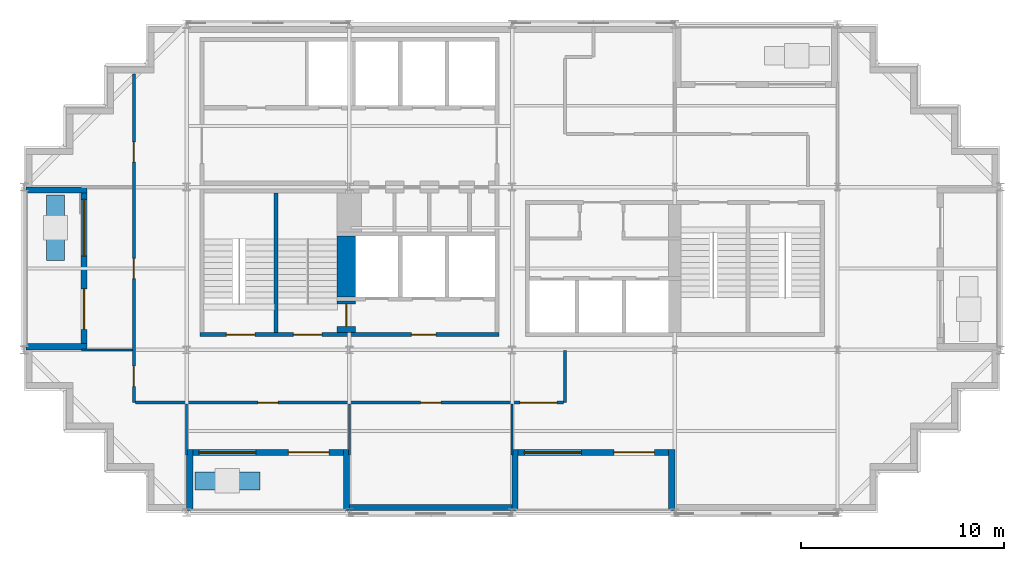
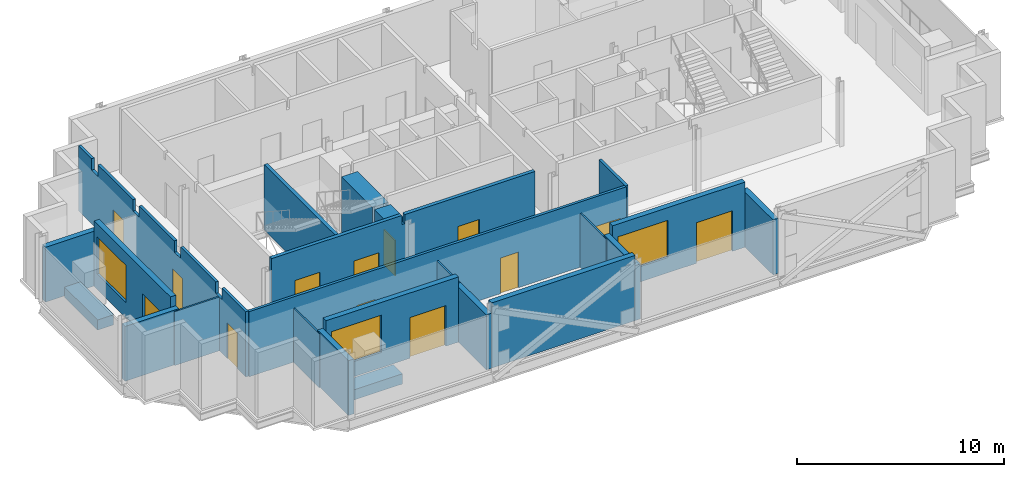
# One storey, part 4 of 9: 23 walls, 13 doors, 3 windows, 16 openings.
"""IFC4 building model written with IfcOpenShell, lengths in metres."""

from ifc_helpers import new_model, si_unit, direction, frame, frame_2d, origin, place, context, subcontext, project, spatial, polyline, rectangle, outline, extrude, material, layer, layer_set, type_object, element, fill, save


model = new_model("IFC4")

# Units and contexts
model_context = context("Model", 3, precision=1e-05, world=origin(), true_north=direction((0.0, 1.0)))
body_context = subcontext(model_context, "Body", "Model", "MODEL_VIEW")
ifc_project = project(units=[si_unit("LENGTHUNIT", "METRE"), si_unit("AREAUNIT", "SQUARE_METRE"), si_unit("VOLUMEUNIT", "CUBIC_METRE"), si_unit("PLANEANGLEUNIT", "RADIAN"), si_unit("MASSUNIT", "GRAM", prefix="KILO")], contexts=[model_context])

# Site, building, storey
site_placement = place(None, origin())
site = spatial("IfcSite", under=ifc_project, at=site_placement, CompositionType="ELEMENT")
building_placement = place(site_placement, origin())
building = spatial("IfcBuilding", under=site, at=building_placement, Name="Immortelle Media Tower", CompositionType="ELEMENT")
storey_placement = place(building_placement, frame((0.0, 0.0, 271.0)))
storey = spatial("IfcBuildingStorey", under=building, at=storey_placement, Name="L59", CompositionType="ELEMENT", Elevation=271.0)

# Wall, openings, doors
ifc_material_1 = material(Name="Fire-rated gypsum board", Category="gypsum")
ifc_layer_1 = layer(ifc_material_1, 0.012451171875)
ifc_material_2 = material(Name="Steel ASTM A653 SS Gr 50 stud frame with mineral wool", Category="steel")
ifc_layer_2 = layer(ifc_material_2, 0.125)
ifc_layer_3 = layer(ifc_material_1, 0.012451171875)
ifc_layer_set_1 = layer_set([ifc_layer_1, ifc_layer_2, ifc_layer_3], Name="Steel ASTM A653 SS Gr 50 stud frame with mineral wool")
wall_type_1 = type_object("IfcWallType", Name="Corridor wall 150", PredefinedType="PARTITIONING", material=ifc_layer_set_1)
wall_1_placement = place(storey_placement, frame((5.47509765625, 5.39990234375, 0.0), z_axis=(0.0, 0.0, 1.0), x_axis=(1.0, 0.0, 0.0)))
wall_1 = element("IfcWall", 1, at=wall_1_placement, inside=storey, type_object=wall_type_1, Name="Partition L59-004", PredefinedType="PARTITIONING", context=body_context, shape_type="SweptSolid", body=[
    extrude(rectangle(XDim=21.0498046875, YDim=0.14990234375, at=frame_2d((10.52490234375, 0.0))), origin(), (0.0, 0.0, 1.0), 3.85009765625),
])
opening_1_placement = place(wall_1_placement, frame((15.02490234375, 0.0, 0.0), z_axis=(0.0, 0.0, 1.0), x_axis=(-1.0, 0.0, 0.0)))
opening_1 = element("IfcOpeningElement", 2, at=opening_1_placement, cuts=wall_1, Name="Opening X3-F001", PredefinedType="OPENING", context=body_context, shape_type="SweptSolid", body=[
    extrude(rectangle(XDim=1.0, YDim=2.10009765625, at=frame_2d((0.5, 1.050048828125))), frame((0.0, 0.0849609375, 0.0), z_axis=(0.0, -1.0, 0.0), x_axis=(1.0, 0.0, 0.0)), (0.0, 0.0, 1.0), 0.169921875),
])
opening_2_placement = place(wall_1_placement, frame((7.02490234375, 0.0, 0.0), z_axis=(0.0, 0.0, 1.0), x_axis=(-1.0, 0.0, 0.0)))
opening_2 = element("IfcOpeningElement", 3, at=opening_2_placement, cuts=wall_1, Name="Opening X3-F002", PredefinedType="OPENING", context=body_context, shape_type="SweptSolid", body=[
    extrude(rectangle(XDim=1.0, YDim=2.10009765625, at=frame_2d((0.5, 1.050048828125))), frame((0.0, 0.0849609375, 0.0), z_axis=(0.0, -1.0, 0.0), x_axis=(1.0, 0.0, 0.0)), (0.0, 0.0, 1.0), 0.169921875),
])
opening_3_placement = place(wall_1_placement, frame((18.925048828125, 0.0, 0.0)))
opening_3 = element("IfcOpeningElement", 4, at=opening_3_placement, cuts=wall_1, Name="Opening X3-F004", PredefinedType="OPENING", context=body_context, shape_type="SweptSolid", body=[
    extrude(rectangle(XDim=1.800048828125, YDim=2.10009765625, at=frame_2d((0.89990234375, 1.050048828125))), frame((0.0, 0.0849609375, 0.0), z_axis=(0.0, -1.0, 0.0), x_axis=(1.0, 0.0, 0.0)), (0.0, 0.0, 1.0), 0.169921875),
])
ifc_material_3 = material(Name="Timber veneered door leaf, galvanised steel frame ASTM A653", Category="steel")
door_type_1 = type_object("IfcDoorType", Name="Room door 1000 x 2100", OperationType="NOTDEFINED", PredefinedType="DOOR", material=ifc_material_3)
door_1_placement = place(opening_1_placement, origin())
door_1 = element("IfcDoor", 5, at=door_1_placement, inside=storey, type_object=door_type_1, Name="Door X3-F001", OperationType="SINGLE_SWING_LEFT", OverallHeight=2.10009765625, OverallWidth=1.0, PredefinedType="DOOR", context=body_context, shape_type="SweptSolid", body=[
    extrude(rectangle(XDim=1.0, YDim=2.10009765625, at=frame_2d((0.5, 1.050048828125))), frame((0.0, 0.02490234375, 0.0), z_axis=(0.0, -1.0, 0.0), x_axis=(1.0, 0.0, 0.0)), (0.0, 0.0, 1.0), 0.050048828125),
])
fill(opening_1, door_1)
door_2_placement = place(opening_2_placement, origin())
door_2 = element("IfcDoor", 6, at=door_2_placement, inside=storey, type_object=door_type_1, Name="Door X3-F002", OperationType="SINGLE_SWING_LEFT", OverallHeight=2.10009765625, OverallWidth=1.0, PredefinedType="DOOR", context=body_context, shape_type="SweptSolid", body=[
    extrude(rectangle(XDim=1.0, YDim=2.10009765625, at=frame_2d((0.5, 1.050048828125))), frame((0.0, 0.02490234375, 0.0), z_axis=(0.0, -1.0, 0.0), x_axis=(1.0, 0.0, 0.0)), (0.0, 0.0, 1.0), 0.050048828125),
])
fill(opening_2, door_2)
door_type_2 = type_object("IfcDoorType", Name="Room door 1800 x 2100", OperationType="DOUBLE_DOOR_SINGLE_SWING", PredefinedType="DOOR", material=ifc_material_3)
door_3_placement = place(opening_3_placement, origin())
door_3 = element("IfcDoor", 7, at=door_3_placement, inside=storey, type_object=door_type_2, Name="Door X3-F004", OperationType="DOUBLE_DOOR_SINGLE_SWING", OverallHeight=2.10009765625, OverallWidth=1.800048828125, PredefinedType="DOOR", context=body_context, shape_type="SweptSolid", body=[
    extrude(rectangle(XDim=1.800048828125, YDim=2.10009765625, at=frame_2d((0.89990234375, 1.050048828125))), frame((0.0, 0.02490234375, 0.0), z_axis=(0.0, -1.0, 0.0), x_axis=(1.0, 0.0, 0.0)), (0.0, 0.0, 1.0), 0.050048828125),
])
fill(opening_3, door_3)

wall_2_placement = place(storey_placement, frame((5.39990234375, 5.39990234375, 0.0), z_axis=(0.0, 0.0, 1.0), x_axis=(0.0, 1.0, 0.0)))
wall_2 = element("IfcWall", 8, at=wall_2_placement, inside=storey, type_object=wall_type_1, Name="Partition L59-005", PredefinedType="PARTITIONING", context=body_context, shape_type="SweptSolid", body=[
    extrude(outline(polyline([(0.0, 0.0), (16.170166015625, 0.0), (16.169921875, 3.85009765625), (14.89990234375, 3.85009765625), (14.89794921875, 3.172119140625), (14.302001953125, 3.172119140625), (14.300048828125, 3.85009765625), (10.89990234375, 3.85009765625), (10.89794921875, 3.172119140625), (10.302001953125, 3.172119140625), (10.300048828125, 3.85009765625), (6.89990234375, 3.85009765625), (6.89794921875, 3.172119140625), (6.302001953125, 3.172119140625), (6.300048828125, 3.85009765625), (2.89990234375, 3.85009765625), (2.89794921875, 3.172119140625), (2.302001953125, 3.172119140625), (2.300048828125, 3.85009765625), (0.0, 3.85009765625), (0.0, 0.0)])), frame((0.0, 0.074951171875, 0.0), z_axis=(0.0, -1.0, 0.0), x_axis=(1.0, 0.0, 0.0)), (0.0, 0.0, 1.0), 0.14990234375),
])
opening_4_placement = place(wall_2_placement, frame((0.800048828125, 0.0, 0.0)))
opening_4 = element("IfcOpeningElement", 9, at=opening_4_placement, cuts=wall_2, Name="Opening X3-F003", PredefinedType="OPENING", context=body_context, shape_type="SweptSolid", body=[
    extrude(rectangle(XDim=1.0, YDim=2.10009765625, at=frame_2d((0.5, 1.050048828125))), frame((0.0, 0.0849609375, 0.0), z_axis=(0.0, -1.0, 0.0), x_axis=(1.0, 0.0, 0.0)), (0.0, 0.0, 1.0), 0.169921875),
])
opening_5_placement = place(wall_2_placement, frame((6.10009765625, 0.0, 0.0)))
opening_5 = element("IfcOpeningElement", 10, at=opening_5_placement, cuts=wall_2, Name="Opening X3-F005", PredefinedType="OPENING", context=body_context, shape_type="SweptSolid", body=[
    extrude(rectangle(XDim=1.0, YDim=2.10009765625, at=frame_2d((0.5, 1.050048828125))), frame((0.0, 0.0849609375, 0.0), z_axis=(0.0, -1.0, 0.0), x_axis=(1.0, 0.0, 0.0)), (0.0, 0.0, 1.0), 0.169921875),
])
opening_6_placement = place(wall_2_placement, frame((11.824951171875, 0.0, 0.0)))
opening_6 = element("IfcOpeningElement", 11, at=opening_6_placement, cuts=wall_2, Name="Opening X3-F006", PredefinedType="OPENING", context=body_context, shape_type="SweptSolid", body=[
    extrude(rectangle(XDim=1.0, YDim=2.10009765625, at=frame_2d((0.5, 1.050048828125))), frame((0.0, 0.0849609375, 0.0), z_axis=(0.0, -1.0, 0.0), x_axis=(1.0, 0.0, 0.0)), (0.0, 0.0, 1.0), 0.169921875),
])
door_4_placement = place(opening_4_placement, origin())
door_4 = element("IfcDoor", 12, at=door_4_placement, inside=storey, type_object=door_type_1, Name="Door X3-F003", OperationType="SINGLE_SWING_RIGHT", OverallHeight=2.10009765625, OverallWidth=1.0, PredefinedType="DOOR", context=body_context, shape_type="SweptSolid", body=[
    extrude(rectangle(XDim=1.0, YDim=2.10009765625, at=frame_2d((0.5, 1.050048828125))), frame((0.0, 0.02490234375, 0.0), z_axis=(0.0, -1.0, 0.0), x_axis=(1.0, 0.0, 0.0)), (0.0, 0.0, 1.0), 0.050048828125),
])
fill(opening_4, door_4)
door_5_placement = place(opening_5_placement, origin())
door_5 = element("IfcDoor", 13, at=door_5_placement, inside=storey, type_object=door_type_1, Name="Door X3-F005", OperationType="SINGLE_SWING_LEFT", OverallHeight=2.10009765625, OverallWidth=1.0, PredefinedType="DOOR", context=body_context, shape_type="SweptSolid", body=[
    extrude(rectangle(XDim=1.0, YDim=2.10009765625, at=frame_2d((0.5, 1.050048828125))), frame((0.0, 0.02490234375, 0.0), z_axis=(0.0, -1.0, 0.0), x_axis=(1.0, 0.0, 0.0)), (0.0, 0.0, 1.0), 0.050048828125),
])
fill(opening_5, door_5)
door_6_placement = place(opening_6_placement, origin())
door_6 = element("IfcDoor", 14, at=door_6_placement, inside=storey, type_object=door_type_1, Name="Door X3-F006", OperationType="SINGLE_SWING_LEFT", OverallHeight=2.10009765625, OverallWidth=1.0, PredefinedType="DOOR", context=body_context, shape_type="SweptSolid", body=[
    extrude(rectangle(XDim=1.0, YDim=2.10009765625, at=frame_2d((0.5, 1.050048828125))), frame((0.0, 0.02490234375, 0.0), z_axis=(0.0, -1.0, 0.0), x_axis=(1.0, 0.0, 0.0)), (0.0, 0.0, 1.0), 0.050048828125),
])
fill(opening_6, door_6)

# Wall
wall_3_placement = place(storey_placement, frame((26.60009765625, 5.39990234375, 0.0), z_axis=(0.0, 0.0, 1.0), x_axis=(0.0, 1.0, 0.0)))
element("IfcWall", 15, at=wall_3_placement, inside=storey, type_object=wall_type_1, Name="Partition L59-006", PredefinedType="PARTITIONING", context=body_context, shape_type="SweptSolid", body=[
    extrude(rectangle(XDim=2.570068359375, YDim=0.14990234375, at=frame_2d((1.28515625, 0.0))), origin(), (0.0, 0.0, 1.0), 3.85009765625),
])

# Wall, openings, door, window
ifc_material_4 = material(Name="Pale aluminium cladding panel", Category="aluminium")
ifc_layer_4 = layer(ifc_material_4, 0.030029296875)
ifc_layer_5 = layer(ifc_material_2, 0.257568359375)
ifc_material_5 = material(Name="Moisture-resistant gypsum board", Category="gypsum")
ifc_layer_6 = layer(ifc_material_5, 0.012451171875)
ifc_layer_set_2 = layer_set([ifc_layer_4, ifc_layer_5, ifc_layer_6], Name="Steel ASTM A653 SS Gr 50 stud frame with mineral wool")
wall_type_2 = type_object("IfcWallType", Name="Facade wall 300", PredefinedType="SOLIDWALL", material=ifc_layer_set_2)
wall_4_placement = place(storey_placement, frame((8.300048828125, 2.949951171875, 0.0), z_axis=(0.0, 0.0, 1.0), x_axis=(1.0, 0.0, 0.0)))
wall_4 = element("IfcWall", 16, at=wall_4_placement, inside=storey, type_object=wall_type_2, Name="Loggia wall L59 S6", PredefinedType="SOLIDWALL", context=body_context, shape_type="SweptSolid", body=[
    extrude(rectangle(XDim=7.39990234375, YDim=0.300048828125, at=frame_2d((3.699951171875, 0.0))), origin(), (0.0, 0.0, 1.0), 3.85009765625),
])
opening_7_placement = place(wall_4_placement, frame((0.300048828125, 0.0, 0.89990234375)))
opening_7 = element("IfcOpeningElement", 17, at=opening_7_placement, cuts=wall_4, Name="Opening W1", PredefinedType="OPENING", context=body_context, shape_type="SweptSolid", body=[
    extrude(rectangle(XDim=2.800048828125, YDim=2.199951171875, at=frame_2d((1.39990234375, 1.10009765625))), frame((0.0, 0.159912109375, 0.0), z_axis=(0.0, -1.0, 0.0), x_axis=(1.0, 0.0, 0.0)), (0.0, 0.0, 1.0), 0.320068359375),
])
opening_8_placement = place(wall_4_placement, frame((4.699951171875, 0.0, 0.0)))
opening_8 = element("IfcOpeningElement", 18, at=opening_8_placement, cuts=wall_4, Name="Opening X3-E001", PredefinedType="OPENING", context=body_context, shape_type="SweptSolid", body=[
    extrude(rectangle(XDim=2.0, YDim=2.39990234375, at=frame_2d((1.0, 1.199951171875))), frame((0.0, 0.159912109375, 0.0), z_axis=(0.0, -1.0, 0.0), x_axis=(1.0, 0.0, 0.0)), (0.0, 0.0, 1.0), 0.320068359375),
])
ifc_material_6 = material(Name="Aluminium frame, glazed leaves", Category="aluminium")
door_type_3 = type_object("IfcDoorType", Name="Loggia door 2000 x 2400", OperationType="DOUBLE_DOOR_SINGLE_SWING", PredefinedType="DOOR", material=ifc_material_6)
door_7_placement = place(opening_8_placement, origin())
door_7 = element("IfcDoor", 19, at=door_7_placement, inside=storey, type_object=door_type_3, Name="Door X3-E001", OperationType="DOUBLE_DOOR_SINGLE_SWING", OverallHeight=2.39990234375, OverallWidth=2.0, PredefinedType="DOOR", context=body_context, shape_type="SweptSolid", body=[
    extrude(rectangle(XDim=2.0, YDim=2.39990234375, at=frame_2d((1.0, 1.199951171875))), frame((0.0, 0.02490234375, 0.0), z_axis=(0.0, -1.0, 0.0), x_axis=(1.0, 0.0, 0.0)), (0.0, 0.0, 1.0), 0.050048828125),
])
fill(opening_8, door_7)
ifc_material_7 = material(Name="Aluminium frame", Category="aluminium")
window_type = type_object("IfcWindowType", Name="Window 2800 x 2200", PartitioningType="SINGLE_PANEL", PredefinedType="WINDOW", material=ifc_material_7)
window_1_placement = place(opening_7_placement, origin())
window_1 = element("IfcWindow", 20, at=window_1_placement, inside=storey, type_object=window_type, Name="Window L59 L59-R6-B0", OverallHeight=2.199951171875, OverallWidth=2.800048828125, PartitioningType="SINGLE_PANEL", PredefinedType="WINDOW", context=body_context, shape_type="SweptSolid", body=[
    extrude(rectangle(XDim=2.800048828125, YDim=2.199951171875, at=frame_2d((1.39990234375, 1.10009765625))), frame((0.0, 0.030029296875, 0.0), z_axis=(0.0, -1.0, 0.0), x_axis=(1.0, 0.0, 0.0)), (0.0, 0.0, 1.0), 0.06005859375),
])
fill(opening_7, window_1)

# Walls
wall_5_placement = place(storey_placement, frame((8.14990234375, 0.10009765625, 0.0), z_axis=(0.0, 0.0, 1.0), x_axis=(0.0, 1.0, 0.0)))
element("IfcWall", 21, at=wall_5_placement, inside=storey, type_object=wall_type_2, Name="Loggia cheek wall L59 S", PredefinedType="SOLIDWALL", context=body_context, shape_type="SweptSolid", body=[
    extrude(rectangle(XDim=3.0, YDim=0.300048828125, at=frame_2d((1.5, 0.0))), origin(), (0.0, 0.0, 1.0), 3.237060546875),
])
wall_6_placement = place(storey_placement, frame((15.85009765625, 0.10009765625, 0.0), z_axis=(0.0, 0.0, 1.0), x_axis=(0.0, 1.0, 0.0)))
element("IfcWall", 22, at=wall_6_placement, inside=storey, type_object=wall_type_2, Name="Loggia cheek wall L59 S", PredefinedType="SOLIDWALL", context=body_context, shape_type="SweptSolid", body=[
    extrude(rectangle(XDim=3.0, YDim=0.300048828125, at=frame_2d((1.5, 0.0))), origin(), (0.0, 0.0, 1.0), 3.2470703125),
])
wall_7_placement = place(storey_placement, frame((16.0, 0.25, 0.0), z_axis=(0.0, 0.0, 1.0), x_axis=(1.0, 0.0, 0.0)))
element("IfcWall", 23, at=wall_7_placement, inside=storey, type_object=wall_type_2, Name="Facade wall L59 S6", PredefinedType="SOLIDWALL", context=body_context, shape_type="SweptSolid", body=[
    extrude(rectangle(XDim=8.0, YDim=0.300048828125, at=frame_2d((4.0, 0.0))), origin(), (0.0, 0.0, 1.0), 3.85009765625),
])

# Wall, openings, door, window
wall_8_placement = place(storey_placement, frame((24.300048828125, 2.949951171875, 0.0), z_axis=(0.0, 0.0, 1.0), x_axis=(1.0, 0.0, 0.0)))
wall_8 = element("IfcWall", 24, at=wall_8_placement, inside=storey, type_object=wall_type_2, Name="Loggia wall L59 S6", PredefinedType="SOLIDWALL", context=body_context, shape_type="SweptSolid", body=[
    extrude(rectangle(XDim=7.39990234375, YDim=0.300048828125, at=frame_2d((3.699951171875, 0.0))), origin(), (0.0, 0.0, 1.0), 3.85009765625),
])
opening_9_placement = place(wall_8_placement, frame((0.300048828125, 0.0, 0.89990234375)))
opening_9 = element("IfcOpeningElement", 25, at=opening_9_placement, cuts=wall_8, Name="Opening W1", PredefinedType="OPENING", context=body_context, shape_type="SweptSolid", body=[
    extrude(rectangle(XDim=2.800048828125, YDim=2.199951171875, at=frame_2d((1.39990234375, 1.10009765625))), frame((0.0, 0.159912109375, 0.0), z_axis=(0.0, -1.0, 0.0), x_axis=(1.0, 0.0, 0.0)), (0.0, 0.0, 1.0), 0.320068359375),
])
opening_10_placement = place(wall_8_placement, frame((4.699951171875, 0.0, 0.0)))
opening_10 = element("IfcOpeningElement", 26, at=opening_10_placement, cuts=wall_8, Name="Opening X3-E002", PredefinedType="OPENING", context=body_context, shape_type="SweptSolid", body=[
    extrude(rectangle(XDim=2.0, YDim=2.39990234375, at=frame_2d((1.0, 1.199951171875))), frame((0.0, 0.159912109375, 0.0), z_axis=(0.0, -1.0, 0.0), x_axis=(1.0, 0.0, 0.0)), (0.0, 0.0, 1.0), 0.320068359375),
])
door_8_placement = place(opening_10_placement, origin())
door_8 = element("IfcDoor", 27, at=door_8_placement, inside=storey, type_object=door_type_3, Name="Door X3-E002", OperationType="DOUBLE_DOOR_SINGLE_SWING", OverallHeight=2.39990234375, OverallWidth=2.0, PredefinedType="DOOR", context=body_context, shape_type="SweptSolid", body=[
    extrude(rectangle(XDim=2.0, YDim=2.39990234375, at=frame_2d((1.0, 1.199951171875))), frame((0.0, 0.02490234375, 0.0), z_axis=(0.0, -1.0, 0.0), x_axis=(1.0, 0.0, 0.0)), (0.0, 0.0, 1.0), 0.050048828125),
])
fill(opening_10, door_8)
window_2_placement = place(opening_9_placement, origin())
window_2 = element("IfcWindow", 28, at=window_2_placement, inside=storey, type_object=window_type, Name="Window L59 L59-R6-B2", OverallHeight=2.199951171875, OverallWidth=2.800048828125, PartitioningType="SINGLE_PANEL", PredefinedType="WINDOW", context=body_context, shape_type="SweptSolid", body=[
    extrude(rectangle(XDim=2.800048828125, YDim=2.199951171875, at=frame_2d((1.39990234375, 1.10009765625))), frame((0.0, 0.030029296875, 0.0), z_axis=(0.0, -1.0, 0.0), x_axis=(1.0, 0.0, 0.0)), (0.0, 0.0, 1.0), 0.06005859375),
])
fill(opening_9, window_2)

# Walls
for number, where, z_axis, x_axis, name in (
    (29, (24.14990234375, 0.10009765625, 0.0), (0.0, 0.0, 1.0), (0.0, 1.0, 0.0), "Loggia cheek wall L59 S"),
    (30, (31.85009765625, 0.10009765625, 0.0), (0.0, 0.0, 1.0), (0.0, 1.0, 0.0), "Loggia cheek wall L59 S"),
):
    element("IfcWall", number, at=place(storey_placement, frame(where, z_axis=z_axis, x_axis=x_axis)), inside=storey, type_object=wall_type_2, Name=name, PredefinedType="SOLIDWALL", context=body_context, shape_type="SweptSolid", body=[
        extrude(rectangle(XDim=3.0, YDim=0.300048828125, at=frame_2d((1.5, 0.0))), origin(), (0.0, 0.0, 1.0), 3.2470703125),
    ])

# Wall, openings, door, window
wall_9_placement = place(storey_placement, frame((2.949951171875, 15.699951171875, 0.0), z_axis=(0.0, 0.0, 1.0), x_axis=(0.0, -1.0, 0.0)))
wall_9 = element("IfcWall", 31, at=wall_9_placement, inside=storey, type_object=wall_type_2, Name="Loggia wall L59 W27", PredefinedType="SOLIDWALL", context=body_context, shape_type="SweptSolid", body=[
    extrude(rectangle(XDim=7.39990234375, YDim=0.300048828125, at=frame_2d((3.699951171875, 0.0))), origin(), (0.0, 0.0, 1.0), 3.85009765625),
])
opening_11_placement = place(wall_9_placement, frame((0.300048828125, 0.0, 0.89990234375)))
opening_11 = element("IfcOpeningElement", 32, at=opening_11_placement, cuts=wall_9, Name="Opening W1", PredefinedType="OPENING", context=body_context, shape_type="SweptSolid", body=[
    extrude(rectangle(XDim=2.800048828125, YDim=2.199951171875, at=frame_2d((1.39990234375, 1.10009765625))), frame((0.0, 0.159912109375, 0.0), z_axis=(0.0, -1.0, 0.0), x_axis=(1.0, 0.0, 0.0)), (0.0, 0.0, 1.0), 0.320068359375),
])
opening_12_placement = place(wall_9_placement, frame((4.699951171875, 0.0, 0.0)))
opening_12 = element("IfcOpeningElement", 33, at=opening_12_placement, cuts=wall_9, Name="Opening X3-E006", PredefinedType="OPENING", context=body_context, shape_type="SweptSolid", body=[
    extrude(rectangle(XDim=2.0, YDim=2.39990234375, at=frame_2d((1.0, 1.199951171875))), frame((0.0, 0.159912109375, 0.0), z_axis=(0.0, -1.0, 0.0), x_axis=(1.0, 0.0, 0.0)), (0.0, 0.0, 1.0), 0.320068359375),
])
door_9_placement = place(opening_12_placement, origin())
door_9 = element("IfcDoor", 34, at=door_9_placement, inside=storey, type_object=door_type_3, Name="Door X3-E006", OperationType="DOUBLE_DOOR_SINGLE_SWING", OverallHeight=2.39990234375, OverallWidth=2.0, PredefinedType="DOOR", context=body_context, shape_type="SweptSolid", body=[
    extrude(rectangle(XDim=2.0, YDim=2.39990234375, at=frame_2d((1.0, 1.199951171875))), frame((0.0, 0.02490234375, 0.0), z_axis=(0.0, -1.0, 0.0), x_axis=(1.0, 0.0, 0.0)), (0.0, 0.0, 1.0), 0.050048828125),
])
fill(opening_12, door_9)
window_3_placement = place(opening_11_placement, origin())
window_3 = element("IfcWindow", 35, at=window_3_placement, inside=storey, type_object=window_type, Name="Window L59 L59-R27-B0", OverallHeight=2.199951171875, OverallWidth=2.800048828125, PartitioningType="SINGLE_PANEL", PredefinedType="WINDOW", context=body_context, shape_type="SweptSolid", body=[
    extrude(rectangle(XDim=2.800048828125, YDim=2.199951171875, at=frame_2d((1.39990234375, 1.10009765625))), frame((0.0, 0.030029296875, 0.0), z_axis=(0.0, -1.0, 0.0), x_axis=(1.0, 0.0, 0.0)), (0.0, 0.0, 1.0), 0.06005859375),
])
fill(opening_11, window_3)

# Walls
for number, where, z_axis, x_axis, name in (
    (36, (0.10009765625, 15.85009765625, 0.0), (0.0, 0.0, 1.0), (1.0, 0.0, 0.0), "Loggia cheek wall L59 W"),
    (37, (0.10009765625, 8.14990234375, 0.0), (0.0, 0.0, 1.0), (1.0, 0.0, 0.0), "Loggia cheek wall L59 W"),
):
    element("IfcWall", number, at=place(storey_placement, frame(where, z_axis=z_axis, x_axis=x_axis)), inside=storey, type_object=wall_type_2, Name=name, PredefinedType="SOLIDWALL", context=body_context, shape_type="SweptSolid", body=[
        extrude(rectangle(XDim=3.0, YDim=0.300048828125, at=frame_2d((1.5, 0.0))), origin(), (0.0, 0.0, 1.0), 3.237060546875),
    ])
ifc_material_8 = material(Name="Gypsum board", Category="gypsum")
ifc_layer_7 = layer(ifc_material_8, 0.012451171875)
ifc_layer_8 = layer(ifc_material_2, 0.074951171875)
ifc_layer_9 = layer(ifc_material_8, 0.012451171875)
ifc_layer_set_3 = layer_set([ifc_layer_7, ifc_layer_8, ifc_layer_9], Name="Steel ASTM A653 SS Gr 50 stud frame with mineral wool")
wall_type_3 = type_object("IfcWallType", Name="Partition 100", PredefinedType="PARTITIONING", material=ifc_layer_set_3)
for number, where, z_axis, x_axis, name in (
    (38, (8.0, 2.830078125, 0.0), (0.0, 0.0, 1.0), (0.0, 1.0, 0.0), "Partition L59-001"),
    (39, (16.0, 2.830078125, 0.0), (0.0, 0.0, 1.0), (0.0, 1.0, 0.0), "Partition L59-002"),
    (40, (24.0, 2.830078125, 0.0), (0.0, 0.0, 1.0), (0.0, 1.0, 0.0), "Partition L59-003"),
    (41, (2.830078125, 8.0, 0.0), (0.0, 0.0, 1.0), (1.0, 0.0, 0.0), "Partition L59-007"),
):
    element("IfcWall", number, at=place(storey_placement, frame(where, z_axis=z_axis, x_axis=x_axis)), inside=storey, type_object=wall_type_3, Name=name, PredefinedType="PARTITIONING", context=body_context, shape_type="SweptSolid", body=[
        extrude(rectangle(XDim=2.494873046875, YDim=0.10009765625, at=frame_2d((1.24755859375, 0.0))), origin(), (0.0, 0.0, 1.0), 3.172119140625),
    ])
ifc_layer_10 = layer(ifc_material_4, 0.0029296875)
ifc_material_9 = material(Name="Steel ASTM A572 Gr 50 planter shell", Category="steel")
ifc_layer_11 = layer(ifc_material_9, 0.011962890625)
ifc_material_10 = material(Name="Planting substrate", Category="soil")
ifc_layer_12 = layer(ifc_material_10, 0.873046875)
ifc_layer_13 = layer(ifc_material_9, 0.011962890625)
ifc_layer_set_4 = layer_set([ifc_layer_10, ifc_layer_11, ifc_layer_12, ifc_layer_13], Name="Steel ASTM A572 Gr 50 planter shell")
wall_type_4 = type_object("IfcWallType", Name="Planter wall 900", PredefinedType="SOLIDWALL", material=ifc_layer_set_4)
for number, where, z_axis, x_axis, name in (
    (42, (8.39990234375, 1.550048828125, 0.0), (0.0, 0.0, 1.0), (1.0, 0.0, 0.0), "Planter L59 S0"),
    (43, (1.550048828125, 15.60009765625, 0.0), (0.0, 0.0, 1.0), (0.0, -1.0, 0.0), "Planter L59 W0"),
):
    element("IfcWall", number, at=place(storey_placement, frame(where, z_axis=z_axis, x_axis=x_axis)), inside=storey, type_object=wall_type_4, Name=name, PredefinedType="SOLIDWALL", context=body_context, shape_type="SweptSolid", body=[
        extrude(rectangle(XDim=3.2001953125, YDim=0.89990234375, at=frame_2d((1.60009765625, 0.0))), origin(), (0.0, 0.0, 1.0), 0.60009765625),
    ])

# Wall, openings, doors
ifc_material_11 = material(Name="Concrete C60", Category="concrete")
ifc_layer_14 = layer(ifc_material_11, 0.199951171875)
ifc_layer_set_5 = layer_set([ifc_layer_14], Name="Concrete C60")
wall_type_5 = type_object("IfcWallType", Name="Stair shaft wall 200", PredefinedType="PARTITIONING", material=ifc_layer_set_5)
wall_10_placement = place(storey_placement, frame((8.64990234375, 8.75, 0.0), z_axis=(0.0, 0.0, 1.0), x_axis=(1.0, 0.0, 0.0)))
wall_10 = element("IfcWall", 44, at=wall_10_placement, inside=storey, type_object=wall_type_5, Name="Stair shaft wall SW", PredefinedType="PARTITIONING", context=body_context, shape_type="SweptSolid", body=[
    extrude(outline(polyline([(0.0, 0.0), (14.7001953125, 0.0), (14.699951171875, 3.85009765625), (7.4375, 3.85009765625), (7.4365234375, 3.318115234375), (7.263427734375, 3.318115234375), (7.262451171875, 3.85009765625), (0.0, 3.85009765625), (0.0, 0.0)])), frame((0.0, 0.10009765625, 0.0), z_axis=(0.0, -1.0, 0.0), x_axis=(1.0, 0.0, 0.0)), (0.0, 0.0, 1.0), 0.199951171875),
])
opening_13_placement = place(wall_10_placement, frame((1.300048828125, 0.0, 0.0)))
opening_13 = element("IfcOpeningElement", 45, at=opening_13_placement, cuts=wall_10, Name="Opening X3-K002", PredefinedType="OPENING", context=body_context, shape_type="SweptSolid", body=[
    extrude(rectangle(XDim=1.39990234375, YDim=2.10009765625, at=frame_2d((0.699951171875, 1.050048828125))), frame((0.0, 0.10986328125, 0.0), z_axis=(0.0, -1.0, 0.0), x_axis=(1.0, 0.0, 0.0)), (0.0, 0.0, 1.0), 0.219970703125),
])
opening_14_placement = place(wall_10_placement, frame((4.60009765625, 0.0, 0.0)))
opening_14 = element("IfcOpeningElement", 46, at=opening_14_placement, cuts=wall_10, Name="Opening X3-K005", PredefinedType="OPENING", context=body_context, shape_type="SweptSolid", body=[
    extrude(rectangle(XDim=1.39990234375, YDim=2.10009765625, at=frame_2d((0.699951171875, 1.050048828125))), frame((0.0, 0.10986328125, 0.0), z_axis=(0.0, -1.0, 0.0), x_axis=(1.0, 0.0, 0.0)), (0.0, 0.0, 1.0), 0.219970703125),
])
opening_15_placement = place(wall_10_placement, frame((10.39990234375, 0.0, 0.0)))
opening_15 = element("IfcOpeningElement", 47, at=opening_15_placement, cuts=wall_10, Name="Opening X3-K012", PredefinedType="OPENING", context=body_context, shape_type="SweptSolid", body=[
    extrude(rectangle(XDim=1.199951171875, YDim=2.10009765625, at=frame_2d((0.60009765625, 1.050048828125))), frame((0.0, 0.10986328125, 0.0), z_axis=(0.0, -1.0, 0.0), x_axis=(1.0, 0.0, 0.0)), (0.0, 0.0, 1.0), 0.219970703125),
])
ifc_material_12 = material(Name="Galvanised steel door leaf and frame ASTM A653", Category="steel")
door_type_4 = type_object("IfcDoorType", Name="Fire-fighting lobby door 1200 x 2100", OperationType="NOTDEFINED", PredefinedType="NOTDEFINED", material=ifc_material_12)
door_10_placement = place(opening_15_placement, origin())
door_10 = element("IfcDoor", 48, at=door_10_placement, inside=storey, type_object=door_type_4, Name="Fire-fighting lobby X3-K012", OperationType="SINGLE_SWING_LEFT", OverallHeight=2.10009765625, OverallWidth=1.199951171875, PredefinedType="NOTDEFINED", context=body_context, shape_type="SweptSolid", body=[
    extrude(rectangle(XDim=1.199951171875, YDim=2.10009765625, at=frame_2d((0.60009765625, 1.050048828125))), frame((0.0, 0.02490234375, 0.0), z_axis=(0.0, -1.0, 0.0), x_axis=(1.0, 0.0, 0.0)), (0.0, 0.0, 1.0), 0.050048828125),
])
fill(opening_15, door_10)
door_type_5 = type_object("IfcDoorType", Name="Stair door 1400 x 2100", OperationType="DOUBLE_DOOR_SINGLE_SWING", PredefinedType="NOTDEFINED", material=ifc_material_12)
door_11_placement = place(opening_13_placement, origin())
door_11 = element("IfcDoor", 49, at=door_11_placement, inside=storey, type_object=door_type_5, Name="Stair X3-K002", OperationType="DOUBLE_DOOR_SINGLE_SWING", OverallHeight=2.10009765625, OverallWidth=1.39990234375, PredefinedType="NOTDEFINED", context=body_context, shape_type="SweptSolid", body=[
    extrude(rectangle(XDim=1.39990234375, YDim=2.10009765625, at=frame_2d((0.699951171875, 1.050048828125))), frame((0.0, 0.02490234375, 0.0), z_axis=(0.0, -1.0, 0.0), x_axis=(1.0, 0.0, 0.0)), (0.0, 0.0, 1.0), 0.050048828125),
])
fill(opening_13, door_11)
door_12_placement = place(opening_14_placement, origin())
door_12 = element("IfcDoor", 50, at=door_12_placement, inside=storey, type_object=door_type_5, Name="Stair X3-K005", OperationType="DOUBLE_DOOR_SINGLE_SWING", OverallHeight=2.10009765625, OverallWidth=1.39990234375, PredefinedType="NOTDEFINED", context=body_context, shape_type="SweptSolid", body=[
    extrude(rectangle(XDim=1.39990234375, YDim=2.10009765625, at=frame_2d((0.699951171875, 1.050048828125))), frame((0.0, 0.02490234375, 0.0), z_axis=(0.0, -1.0, 0.0), x_axis=(1.0, 0.0, 0.0)), (0.0, 0.0, 1.0), 0.050048828125),
])
fill(opening_14, door_12)

# Wall
wall_11_placement = place(storey_placement, frame((12.39990234375, 8.85009765625, 0.0), z_axis=(0.0, 0.0, 1.0), x_axis=(0.0, 1.0, 0.0)))
element("IfcWall", 51, at=wall_11_placement, inside=storey, type_object=wall_type_5, Name="Stair shaft wall SW", PredefinedType="PARTITIONING", context=body_context, shape_type="SweptSolid", body=[
    extrude(rectangle(XDim=6.849853515625, YDim=0.199951171875, at=frame_2d((3.4248046875, 0.0))), origin(), (0.0, 0.0, 1.0), 3.85009765625),
])

# Wall, opening, door
ifc_layer_15 = layer(ifc_material_11, 0.89990234375)
ifc_layer_set_6 = layer_set([ifc_layer_15], Name="Concrete C60")
wall_type_6 = type_object("IfcWallType", Name="Stair shaft wall 900", PredefinedType="PARTITIONING", material=ifc_layer_set_6)
wall_12_placement = place(storey_placement, frame((15.85009765625, 8.85009765625, 0.0), z_axis=(0.0, 0.0, 1.0), x_axis=(0.0, 1.0, 0.0)))
wall_12 = element("IfcWall", 52, at=wall_12_placement, inside=storey, type_object=wall_type_6, Name="Stair shaft wall SW", PredefinedType="PARTITIONING", context=body_context, shape_type="SweptSolid", body=[
    extrude(rectangle(XDim=1.5498046875, YDim=0.89990234375, at=frame_2d((0.77490234375, 0.0))), origin(), (0.0, 0.0, 1.0), 3.318115234375),
])
opening_16_placement = place(wall_12_placement, frame((0.300048828125, 0.0, 0.0)))
opening_16 = element("IfcOpeningElement", 53, at=opening_16_placement, cuts=wall_12, Name="Opening X3-K007", PredefinedType="OPENING", context=body_context, shape_type="SweptSolid", body=[
    extrude(rectangle(XDim=1.10009765625, YDim=2.10009765625, at=frame_2d((0.550048828125, 1.050048828125))), frame((0.0, 0.4599609375, 0.0), z_axis=(0.0, -1.0, 0.0), x_axis=(1.0, 0.0, 0.0)), (0.0, 0.0, 1.0), 0.919921875),
])
door_type_6 = type_object("IfcDoorType", Name="Stair lobby door 1100 x 2100", OperationType="NOTDEFINED", PredefinedType="NOTDEFINED", material=ifc_material_12)
door_13_placement = place(opening_16_placement, origin())
door_13 = element("IfcDoor", 54, at=door_13_placement, inside=storey, type_object=door_type_6, Name="Stair lobby X3-K007", OperationType="SINGLE_SWING_LEFT", OverallHeight=2.10009765625, OverallWidth=1.10009765625, PredefinedType="NOTDEFINED", context=body_context, shape_type="SweptSolid", body=[
    extrude(rectangle(XDim=1.10009765625, YDim=2.10009765625, at=frame_2d((0.550048828125, 1.050048828125))), frame((0.0, 0.02490234375, 0.0), z_axis=(0.0, -1.0, 0.0), x_axis=(1.0, 0.0, 0.0)), (0.0, 0.0, 1.0), 0.050048828125),
])
fill(opening_16, door_13)

# Wall
wall_13_placement = place(storey_placement, frame((15.85009765625, 10.60009765625, 0.0), z_axis=(0.0, 0.0, 1.0), x_axis=(0.0, 1.0, 0.0)))
element("IfcWall", 55, at=wall_13_placement, inside=storey, type_object=wall_type_6, Name="Stair shaft wall SW", PredefinedType="PARTITIONING", context=body_context, shape_type="SweptSolid", body=[
    extrude(rectangle(XDim=3.0, YDim=0.89990234375, at=frame_2d((1.5, 0.0))), origin(), (0.0, 0.0, 1.0), 3.318115234375),
])

save(model, "model.ifc")
